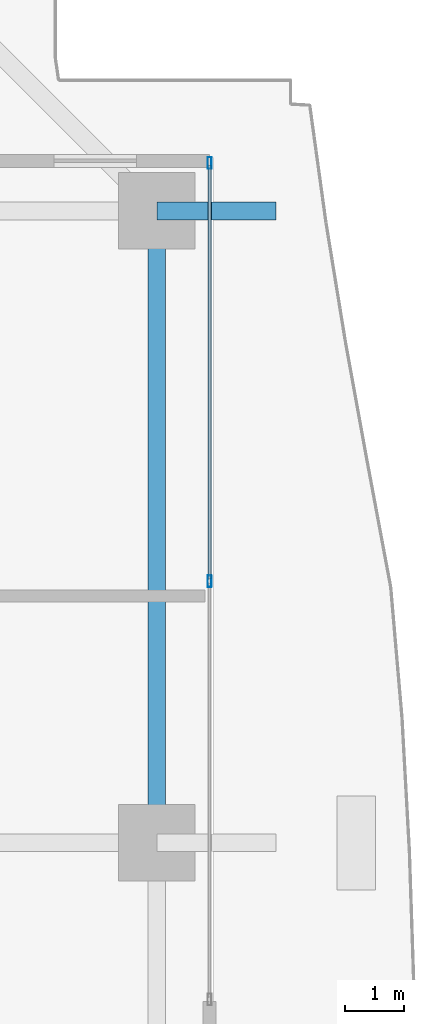
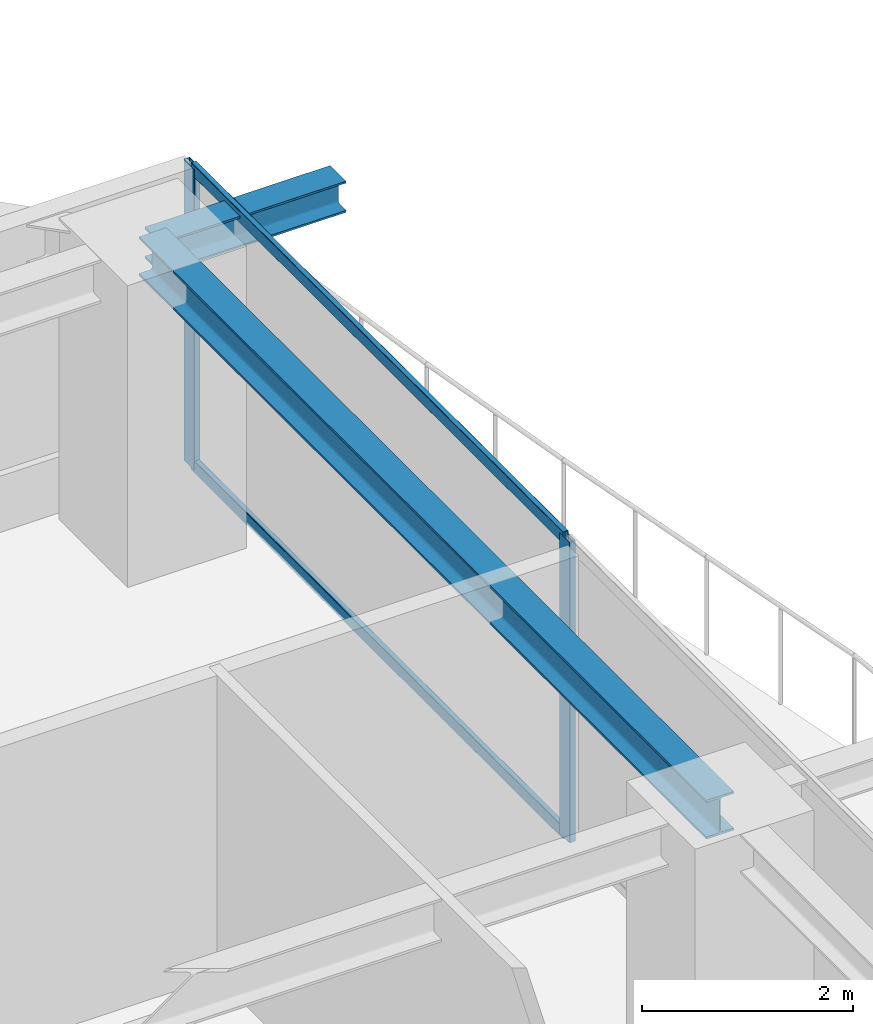
# One storey, part 21 of 33: 4 members, 2 beams, 1 element without a shape of its own.
"""IFC4 building model written with IfcOpenShell, lengths in metres."""

from ifc_helpers import new_model, si_unit, direction, frame, origin, origin_2d, place, context, subcontext, project, spatial, hollow_rectangle, i_section, extrude, source, transform, mapped, material, layer, layer_set, material_profile, profile_set, type_object, element, aggregate, save


model = new_model("IFC4")

# Units and contexts
model_context = context("Model", 3, precision=1e-05, world=origin(), true_north=direction((0.0, 1.0)))
body_context = subcontext(model_context, "Body", "Model", "MODEL_VIEW")
ifc_project = project(units=[si_unit("LENGTHUNIT", "METRE"), si_unit("AREAUNIT", "SQUARE_METRE"), si_unit("VOLUMEUNIT", "CUBIC_METRE"), si_unit("PLANEANGLEUNIT", "RADIAN"), si_unit("MASSUNIT", "GRAM", prefix="KILO")], contexts=[model_context])

# Site, building, storey
site_placement = place(None, origin())
site = spatial("IfcSite", under=ifc_project, at=site_placement, CompositionType="ELEMENT")
building_placement = place(site_placement, origin())
building = spatial("IfcBuilding", under=site, at=building_placement, Name="Serunith Strait Residences", CompositionType="ELEMENT")
storey_placement = place(building_placement, frame((0.0, 0.0, 165.14990234375)))
storey = spatial("IfcBuildingStorey", under=building, at=storey_placement, Name="L41", CompositionType="ELEMENT", Elevation=165.14990234375)

# Beams
ifc_material_1 = material(Name="Steel S355J2", Category="steel")
ifc_material_profile_1 = material_profile(ifc_material_1, i_section(OverallWidth=0.300048828125, OverallDepth=0.449951171875, WebThickness=0.013916015625, FlangeThickness=0.02587890625, FilletRadius=0.027099609375, at=origin_2d()), Name="HEB 450")
ifc_profile_set_1 = profile_set([ifc_material_profile_1], Name="Steel S355J2")
beam_type_1 = type_object("IfcBeamType", Name="BM-HEB450", PredefinedType="BEAM", material=ifc_profile_set_1)
shared_shape_1 = source(origin(), body_context, "Body", "SweptSolid", [
    extrude(i_section(OverallWidth=0.300048828125, OverallDepth=0.449951171875, WebThickness=0.013916015625, FlangeThickness=0.02587890625, FilletRadius=0.027099609375, at=origin_2d()), origin(), (0.0, 0.0, 1.0), 10.75),
])
beam_1_placement = place(storey_placement, frame((56.10009765625, 29.39990234375, 3.26220703125), z_axis=(0.0, 1.0, 0.0), x_axis=(-1.0, 0.0, 0.0)))
element("IfcBeam", 1, at=beam_1_placement, inside=storey, type_object=beam_type_1, Name="L41 Perimeter Ring Beam 07", PredefinedType="BEAM", context=body_context, shape_type="MappedRepresentation", body=[
    mapped(shared_shape_1, transform((0.0, 0.0, 0.0), scale=1.0)),
])
ifc_material_profile_2 = material_profile(ifc_material_1, i_section(OverallWidth=0.300048828125, OverallDepth=0.360107421875, WebThickness=0.012451171875, FlangeThickness=0.0224609375, FilletRadius=0.027099609375, at=origin_2d()), Name="HEB 360")
ifc_profile_set_2 = profile_set([ifc_material_profile_2], Name="Steel S355J2")
beam_type_2 = type_object("IfcBeamType", Name="BM-HEB360", PredefinedType="BEAM", material=ifc_profile_set_2)
shared_shape_2 = source(origin(), body_context, "Body", "SweptSolid", [
    extrude(i_section(OverallWidth=0.300048828125, OverallDepth=0.360107421875, WebThickness=0.012451171875, FlangeThickness=0.0224609375, FilletRadius=0.027099609375, at=origin_2d()), origin(), (0.0, 0.0, 1.0), 2.02978515625),
])
beam_2_placement = place(storey_placement, frame((56.10009765625, 40.14990234375, 3.277099609375), z_axis=(1.0, 0.0, 0.0), x_axis=(0.0, 1.0, 0.0)))
element("IfcBeam", 2, at=beam_2_placement, inside=storey, type_object=beam_type_2, Name="L42 Cantilevered Balcony Rib TC-E4", PredefinedType="BEAM", context=body_context, shape_type="MappedRepresentation", body=[
    mapped(shared_shape_2, transform((0.0, 0.0, 0.0), scale=1.0)),
])

# Curtain wall, members
ifc_material_2 = material(Name="Pale-Champagne Anodised Aluminium", Category="aluminium")
ifc_layer = layer(ifc_material_2, 0.199951171875, Name="Pale-Champagne Anodised Aluminium")
ifc_layer_set = layer_set([ifc_layer], Name="Pale-Champagne Anodised Aluminium")
curtain_wall_type = type_object("IfcCurtainWallType", Name="CW-SYS2", PredefinedType="NOTDEFINED", material=ifc_layer_set)
curtain_wall_placement = place(storey_placement, origin())
curtain_wall = element("IfcCurtainWall", 3, at=curtain_wall_placement, inside=storey, type_object=curtain_wall_type, Name="L41 E Unitised Fritted Curtain Wall", PredefinedType="NOTDEFINED")
ifc_material_profile_3 = material_profile(ifc_material_2, hollow_rectangle(XDim=0.070068359375, YDim=0.199951171875, WallThickness=0.00390625, InnerFilletRadius=0.006103515625, OuterFilletRadius=0.010009765625, at=origin_2d()), Name="ALU 200x70x4")
ifc_profile_set_3 = profile_set([ifc_material_profile_3], Name="Pale-Champagne Anodised Aluminium")
member_type_1 = type_object("IfcMemberType", Name="CW-SYS2-MULL", PredefinedType="MULLION", material=ifc_profile_set_3)
shared_shape_3 = source(origin(), body_context, "Body", "SweptSolid", [
    extrude(hollow_rectangle(XDim=0.070068359375, YDim=0.199951171875, WallThickness=0.00390625, InnerFilletRadius=0.006103515625, OuterFilletRadius=0.010009765625, at=origin_2d()), origin(), (0.0, 0.0, 1.0), 3.47509765625),
])
member_1_placement = place(storey_placement, frame((57.0, 33.85009765625, 0.0), z_axis=(0.0, 0.0, 1.0), x_axis=(-1.0, 0.0, 0.0)))
member_1 = element("IfcMember", 4, at=member_1_placement, type_object=member_type_1, Name="CW-2 mullion 2", PredefinedType="MULLION", context=body_context, shape_type="MappedRepresentation", body=[
    mapped(shared_shape_3, transform((0.0, 0.0, 0.0), scale=1.0)),
])
member_2_placement = place(storey_placement, frame((57.0, 40.965087890625, 0.0), z_axis=(0.0, 0.0, 1.0), x_axis=(-1.0, 0.0, 0.0)))
member_2 = element("IfcMember", 5, at=member_2_placement, type_object=member_type_1, Name="CW-2 mullion 3", PredefinedType="MULLION", context=body_context, shape_type="MappedRepresentation", body=[
    mapped(shared_shape_3, transform((0.0, 0.0, 0.0), scale=1.0)),
])
ifc_material_profile_4 = material_profile(ifc_material_2, hollow_rectangle(XDim=0.06005859375, YDim=0.139892578125, WallThickness=0.00341796875, InnerFilletRadius=0.00537109375, OuterFilletRadius=0.0087890625, at=origin_2d()), Name="ALU 140x60x3.5")
ifc_profile_set_4 = profile_set([ifc_material_profile_4], Name="Pale-Champagne Anodised Aluminium")
member_type_2 = type_object("IfcMemberType", Name="CW-SYS2-TRAN", PredefinedType="USERDEFINED", material=ifc_profile_set_4)
shared_shape_4 = source(origin(), body_context, "Body", "SweptSolid", [
    extrude(hollow_rectangle(XDim=0.06005859375, YDim=0.139892578125, WallThickness=0.00341796875, InnerFilletRadius=0.00537109375, OuterFilletRadius=0.0087890625, at=origin_2d()), origin(), (0.0, 0.0, 1.0), 7.044921875),
])
member_3_placement = place(storey_placement, frame((57.0, 33.885009765625, 0.030029296875), z_axis=(0.0, 1.0, 0.0), x_axis=(-1.0, 0.0, 0.0)))
member_3 = element("IfcMember", 6, at=member_3_placement, type_object=member_type_2, Name="CW-2 transom 2.1", ObjectType="TRANSOM", PredefinedType="USERDEFINED", context=body_context, shape_type="MappedRepresentation", body=[
    mapped(shared_shape_4, transform((0.0, 0.0, 0.0), scale=1.0)),
])
member_4_placement = place(storey_placement, frame((57.0, 33.885009765625, 3.445068359375), z_axis=(0.0, 1.0, 0.0), x_axis=(-1.0, 0.0, 0.0)))
member_4 = element("IfcMember", 7, at=member_4_placement, type_object=member_type_2, Name="CW-2 transom 2.2", ObjectType="TRANSOM", PredefinedType="USERDEFINED", context=body_context, shape_type="MappedRepresentation", body=[
    mapped(shared_shape_4, transform((0.0, 0.0, 0.0), scale=1.0)),
])
aggregate(curtain_wall, [member_1, member_2, member_3, member_4])

save(model, "model.ifc")
